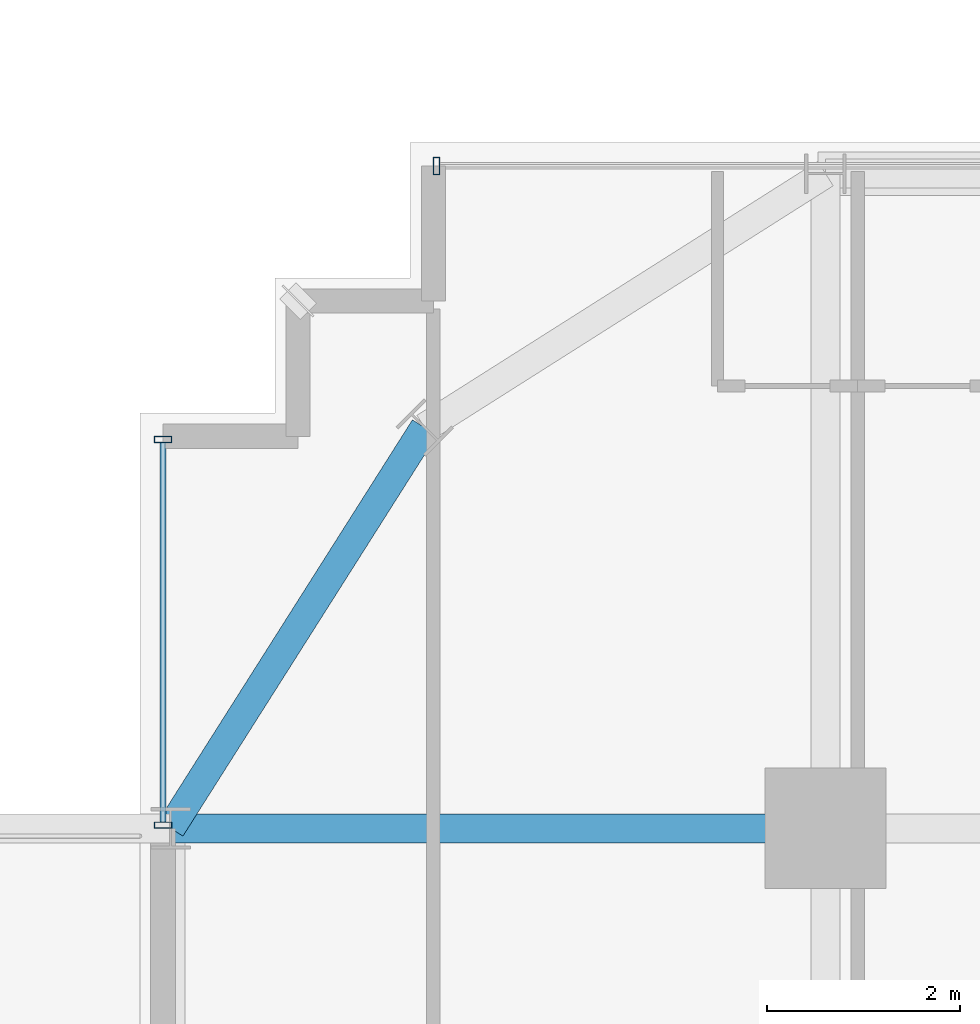
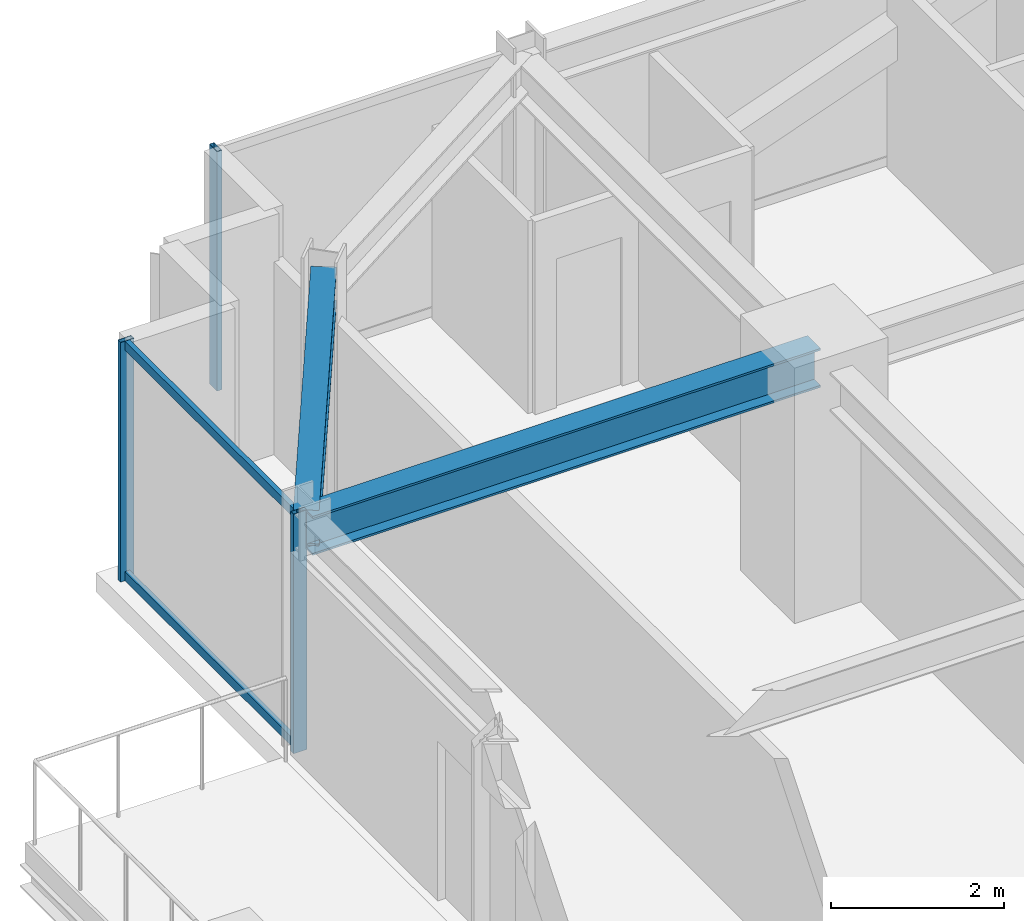
# One storey, part 18 of 40: 5 members, 2 beams, 2 elements without a shape of their own.
"""IFC4 building model written with IfcOpenShell, lengths in metres."""

from ifc_helpers import new_model, si_unit, direction, frame, origin, origin_2d, place, context, subcontext, project, spatial, hollow_rectangle, i_section, extrude, source, transform, mapped, material, material_profile, profile_set, type_object, element, aggregate, save


model = new_model("IFC4")

# Units and contexts
model_context = context("Model", 3, precision=1e-05, world=origin(), true_north=direction((0.0, 1.0)))
body_context = subcontext(model_context, "Body", "Model", "MODEL_VIEW")
ifc_project = project(units=[si_unit("LENGTHUNIT", "METRE"), si_unit("AREAUNIT", "SQUARE_METRE"), si_unit("VOLUMEUNIT", "CUBIC_METRE"), si_unit("PLANEANGLEUNIT", "RADIAN"), si_unit("MASSUNIT", "GRAM", prefix="KILO")], contexts=[model_context])

# Site, building, storey
site_placement = place(None, origin())
site = spatial("IfcSite", under=ifc_project, at=site_placement, CompositionType="ELEMENT")
building_placement = place(site_placement, origin())
building = spatial("IfcBuilding", under=site, at=building_placement, Name="Nahalor Promenade Grand Hotel", CompositionType="ELEMENT")
storey_placement = place(building_placement, frame((0.0, 0.0, 91.949951171875)))
storey = spatial("IfcBuildingStorey", under=building, at=storey_placement, Name="L22", CompositionType="ELEMENT", Elevation=91.949951171875)

# Beams
ifc_material_1 = material(Name="Steel S355JR", Category="steel")
ifc_material_profile_1 = material_profile(ifc_material_1, i_section(OverallWidth=0.3, OverallDepth=0.5, WebThickness=0.0145, FlangeThickness=0.028, at=origin_2d()), Name="HEB 500")
ifc_profile_set_1 = profile_set([ifc_material_profile_1], Name="Steel S355JR")
beam_type_1 = type_object("IfcBeamType", Name="Beam-Spandrel-HEB500", PredefinedType="SPANDREL", material=ifc_profile_set_1)
shared_shape_1 = source(origin(), body_context, "Body", "SweptSolid", [
    extrude(i_section(OverallWidth=0.3, OverallDepth=0.5, WebThickness=0.0145, FlangeThickness=0.028, at=origin_2d()), origin(), (0.0, 0.0, 1.0), 4.9130859375),
])
beam_1_placement = place(storey_placement, frame((-21.14990234375, 21.14990234375, 3.130126953125), z_axis=(-0.535321591403, -0.844648325505, 0.0), x_axis=(0.844648325505, -0.535321591403, 0.0)))
element("IfcBeam", 1, at=beam_1_placement, inside=storey, type_object=beam_type_1, Name="BM-L22-SPC-NW-2", PredefinedType="SPANDREL", context=body_context, shape_type="MappedRepresentation", body=[
    mapped(shared_shape_1, transform((0.0, 0.0, 0.0), scale=1.0)),
])
ifc_material_profile_2 = material_profile(ifc_material_1, i_section(OverallWidth=0.3, OverallDepth=0.55, WebThickness=0.015, FlangeThickness=0.029, at=origin_2d()), Name="HEB 550")
ifc_profile_set_2 = profile_set([ifc_material_profile_2], Name="Steel S355JR")
beam_type_2 = type_object("IfcBeamType", Name="Beam-Girder-HEB550", PredefinedType="BEAM", material=ifc_profile_set_2)
shared_shape_2 = source(origin(), body_context, "Body", "SweptSolid", [
    extrude(i_section(OverallWidth=0.3, OverallDepth=0.55, WebThickness=0.015, FlangeThickness=0.029, at=origin_2d()), origin(), (0.0, 0.0, 1.0), 6.780029296875),
])
beam_2_placement = place(storey_placement, frame((-23.780029296875, 17.0, 3.10498046875), z_axis=(1.0, 0.0, 0.0), x_axis=(0.0, 1.0, 0.0)))
element("IfcBeam", 2, at=beam_2_placement, inside=storey, type_object=beam_type_2, Name="BM-L22-GX-3-0", PredefinedType="BEAM", context=body_context, shape_type="MappedRepresentation", body=[
    mapped(shared_shape_2, transform((0.0, 0.0, 0.0), scale=1.0)),
])

# Curtain wall, members
ifc_material_2 = material(Name="Anodised Bronze Aluminium EN AW-6063 T6", Category="aluminium")
curtain_wall_type = type_object("IfcCurtainWallType", Name="CW2 Typical Hotel Flush Bronze Unitised Curtain Wall", PredefinedType="USERDEFINED", material=ifc_material_2)
curtain_wall_1_placement = place(storey_placement, origin())
curtain_wall_1 = element("IfcCurtainWall", 3, at=curtain_wall_1_placement, inside=storey, type_object=curtain_wall_type, Name="L22 Curtain Wall CW-L22-W-3", ObjectType="UNITISED_CURTAIN_WALL", PredefinedType="USERDEFINED")
ifc_material_profile_3 = material_profile(ifc_material_2, hollow_rectangle(XDim=0.065, YDim=0.13, WallThickness=0.004, at=origin_2d()), Name="CWT 65x130x4")
ifc_profile_set_3 = profile_set([ifc_material_profile_3], Name="Anodised Bronze Aluminium EN AW-6063 T6")
member_type_1 = type_object("IfcMemberType", Name="CWT2 Typical Bronze Transom 65x130", PredefinedType="USERDEFINED", material=ifc_profile_set_3)
shared_shape_3 = source(origin(), body_context, "Body", "SweptSolid", [
    extrude(hollow_rectangle(XDim=0.065, YDim=0.13, WallThickness=0.004, at=origin_2d()), origin(), (0.0, 0.0, 1.0), 3.93017578125),
])
member_1_placement = place(storey_placement, frame((-23.860107421875, 17.06494140625, 0.06494140625), z_axis=(0.0, 1.0, 0.0), x_axis=(-1.0, 0.0, 0.0)))
member_1 = element("IfcMember", 4, at=member_1_placement, type_object=member_type_1, Name="CW-L22-W-3 Transom 0-0", ObjectType="TRANSOM", PredefinedType="USERDEFINED", context=body_context, shape_type="MappedRepresentation", body=[
    mapped(shared_shape_3, transform((0.0, 0.0, 0.0), scale=1.0)),
])
member_2_placement = place(storey_placement, frame((-23.860107421875, 17.06494140625, 3.31494140625), z_axis=(0.0, 1.0, 0.0), x_axis=(-1.0, 0.0, 0.0)))
member_2 = element("IfcMember", 5, at=member_2_placement, type_object=member_type_1, Name="CW-L22-W-3 Transom 0-1", ObjectType="TRANSOM", PredefinedType="USERDEFINED", context=body_context, shape_type="MappedRepresentation", body=[
    mapped(shared_shape_3, transform((0.0, 0.0, 0.0), scale=1.0)),
])

# Curtain wall, member
curtain_wall_2_placement = place(storey_placement, origin())
curtain_wall_2 = element("IfcCurtainWall", 6, at=curtain_wall_2_placement, inside=storey, type_object=curtain_wall_type, Name="L22 Curtain Wall CW-L22-N-1", ObjectType="UNITISED_CURTAIN_WALL", PredefinedType="USERDEFINED")
ifc_material_profile_4 = material_profile(ifc_material_2, hollow_rectangle(XDim=0.065, YDim=0.18, WallThickness=0.004, at=origin_2d()), Name="CWM 65x180x4")
ifc_profile_set_4 = profile_set([ifc_material_profile_4], Name="Anodised Bronze Aluminium EN AW-6063 T6")
member_type_2 = type_object("IfcMemberType", Name="CWM2 Typical Bronze Mullion 65x180", PredefinedType="MULLION", material=ifc_profile_set_4)
shared_shape_4 = source(origin(), body_context, "Body", "SweptSolid", [
    extrude(hollow_rectangle(XDim=0.065, YDim=0.18, WallThickness=0.004, at=origin_2d()), origin(), (0.0, 0.0, 1.0), 3.380126953125),
])
member_3_placement = place(storey_placement, frame((-21.027587890625, 23.860107421875, 0.0), z_axis=(0.0, 0.0, 1.0), x_axis=(1.0, 0.0, 0.0)))
member_3 = element("IfcMember", 7, at=member_3_placement, type_object=member_type_2, Name="CW-L22-N-1 Mullion 0", PredefinedType="MULLION", context=body_context, shape_type="MappedRepresentation", body=[
    mapped(shared_shape_4, transform((0.0, 0.0, 0.0), scale=1.0)),
])
aggregate(curtain_wall_2, [member_3])

# Member
member_4_placement = place(storey_placement, frame((-23.860107421875, 17.032470703125, 0.0), z_axis=(0.0, 0.0, 1.0), x_axis=(0.0, 1.0, 0.0)))
member_4 = element("IfcMember", 8, at=member_4_placement, type_object=member_type_2, Name="CW-L22-W-3 Mullion 0", PredefinedType="MULLION", context=body_context, shape_type="MappedRepresentation", body=[
    mapped(shared_shape_4, transform((0.0, 0.0, 0.0), scale=1.0)),
])

member_5_placement = place(storey_placement, frame((-23.860107421875, 21.027587890625, 0.0), z_axis=(0.0, 0.0, 1.0), x_axis=(0.0, 1.0, 0.0)))
member_5 = element("IfcMember", 9, at=member_5_placement, type_object=member_type_2, Name="CW-L22-W-3 Mullion 1", PredefinedType="MULLION", context=body_context, shape_type="MappedRepresentation", body=[
    mapped(shared_shape_4, transform((0.0, 0.0, 0.0), scale=1.0)),
])

aggregate(curtain_wall_1, [member_4, member_5, member_1, member_2])

save(model, "model.ifc")
